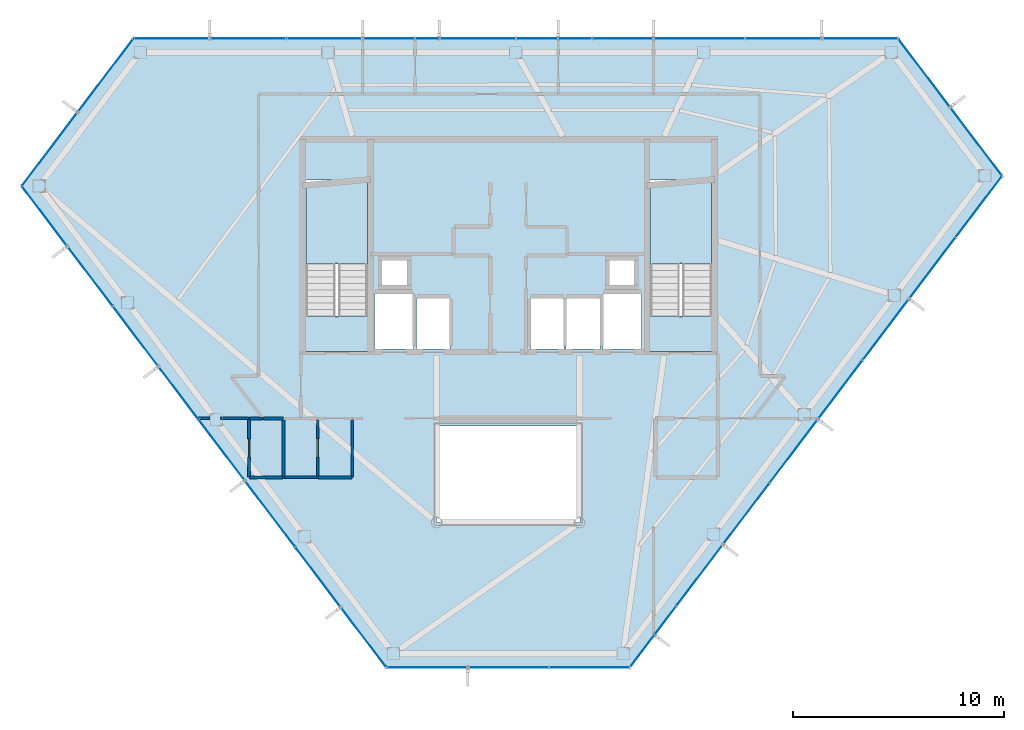
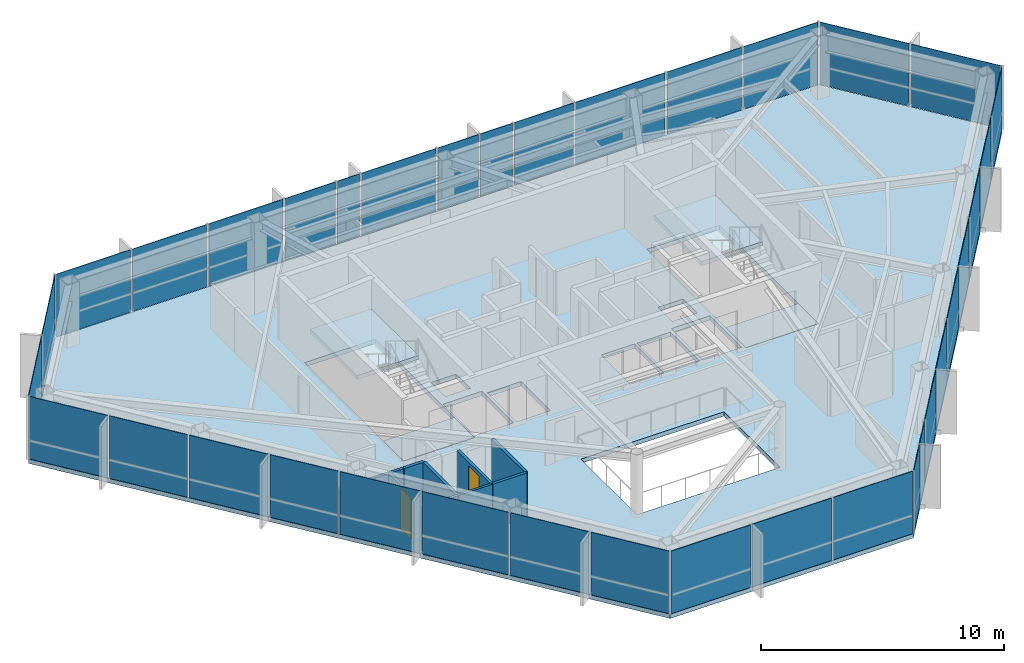
# One storey, part 23 of 27: 36 plates, 11 walls, 5 slabs, 2 doors, 2 openings, 8 elements without a shape of their own.
"""IFC4 building model written with IfcOpenShell, lengths in metres."""

from ifc_helpers import new_model, si_unit, direction, frame, frame_2d, origin, origin_2d, place, context, subcontext, project, spatial, polyline, rectangle, outline, extrude, material, layer, layer_set, type_object, element, fill, aggregate, save


model = new_model("IFC4")

# Units and contexts
model_context = context("Model", 3, precision=1e-05, world=origin(), true_north=direction((0.0, 1.0)))
body_context = subcontext(model_context, "Body", "Model", "MODEL_VIEW")
ifc_project = project(units=[si_unit("LENGTHUNIT", "METRE"), si_unit("AREAUNIT", "SQUARE_METRE"), si_unit("VOLUMEUNIT", "CUBIC_METRE"), si_unit("PLANEANGLEUNIT", "RADIAN"), si_unit("MASSUNIT", "GRAM", prefix="KILO")], contexts=[model_context])

# Site, building, storey
site_placement = place(None, origin())
site = spatial("IfcSite", under=ifc_project, at=site_placement, CompositionType="ELEMENT")
building_placement = place(site_placement, origin())
building = spatial("IfcBuilding", under=site, at=building_placement, Name="Zarrinselat Tower", CompositionType="ELEMENT")
storey_placement = place(building_placement, frame((0.0, 0.0, 229.159912109375)))
storey = spatial("IfcBuildingStorey", under=building, at=storey_placement, Name="L57", CompositionType="ELEMENT", Elevation=229.159912109375)

# Curtain wall, plates
ifc_material_1 = material(Name="Extruded Aluminium Alloy EN AW-6063 T6", Category="aluminium")
ifc_layer_1 = layer(ifc_material_1, 0.169921875)
ifc_layer_set_1 = layer_set([ifc_layer_1], Name="Extruded Aluminium Alloy EN AW-6063 T6")
curtain_wall_type = type_object("IfcCurtainWallType", Name="CWS-RES", PredefinedType="NOTDEFINED", material=ifc_layer_set_1)
curtain_wall_1_placement = place(storey_placement, origin())
curtain_wall_1 = element("IfcCurtainWall", 1, at=curtain_wall_1_placement, inside=storey, type_object=curtain_wall_type, Name="L57 Unitised Curtain Wall CW-L57-E01", PredefinedType="NOTDEFINED")
ifc_material_2 = material(Name="Double Low-E Laminated Solar Glass", Category="glass")
ifc_layer_2 = layer(ifc_material_2, 0.028076171875)
ifc_layer_set_2 = layer_set([ifc_layer_2], Name="Double Low-E Laminated Solar Glass")
plate_type = type_object("IfcPlateType", Name="PLT-CW-GL28", PredefinedType="CURTAIN_PANEL", material=ifc_layer_set_2)
plate_1_placement = place(storey_placement, frame((55.10009765625, 48.177734375, 0.02001953125), z_axis=(0.0, 0.0, 1.0), x_axis=(-1.0, 0.0, 0.0)))
plate_1 = element("IfcPlate", 2, at=plate_1_placement, type_object=plate_type, Name="CW-L57-E01 Vision Glass Panel 1", PredefinedType="CURTAIN_PANEL", context=body_context, shape_type="SweptSolid", body=[
    extrude(rectangle(XDim=3.530517578125, YDim=0.028076171875, at=origin_2d()), origin(), (0.0, 0.0, 1.0), 3.139892578125),
])
plate_2_placement = place(storey_placement, frame((51.469482421875, 48.177734375, 0.02001953125), z_axis=(0.0, 0.0, 1.0), x_axis=(-1.0, 0.0, 0.0)))
plate_2 = element("IfcPlate", 3, at=plate_2_placement, type_object=plate_type, Name="CW-L57-E01 Vision Glass Panel 2", PredefinedType="CURTAIN_PANEL", context=body_context, shape_type="SweptSolid", body=[
    extrude(rectangle(XDim=3.530517578125, YDim=0.028076171875, at=origin_2d()), origin(), (0.0, 0.0, 1.0), 3.139892578125),
])
plate_3_placement = place(storey_placement, frame((47.477294921875, 48.177734375, 0.02001953125), z_axis=(0.0, 0.0, 1.0), x_axis=(-1.0, 0.0, 0.0)))
plate_3 = element("IfcPlate", 4, at=plate_3_placement, type_object=plate_type, Name="CW-L57-E01 Vision Glass Panel 3", PredefinedType="CURTAIN_PANEL", context=body_context, shape_type="SweptSolid", body=[
    extrude(rectangle(XDim=4.25439453125, YDim=0.028076171875, at=origin_2d()), origin(), (0.0, 0.0, 1.0), 3.139892578125),
])
plate_4_placement = place(storey_placement, frame((43.846923828125, 48.177734375, 0.02001953125), z_axis=(0.0, 0.0, 1.0), x_axis=(-1.0, 0.0, 0.0)))
plate_4 = element("IfcPlate", 5, at=plate_4_placement, type_object=plate_type, Name="CW-L57-E01 Vision Glass Panel 4", PredefinedType="CURTAIN_PANEL", context=body_context, shape_type="SweptSolid", body=[
    extrude(rectangle(XDim=2.806396484375, YDim=0.028076171875, at=origin_2d()), origin(), (0.0, 0.0, 1.0), 3.139892578125),
])
plate_5_placement = place(storey_placement, frame((41.583740234375, 48.177734375, 0.02001953125), z_axis=(0.0, 0.0, 1.0), x_axis=(-1.0, 0.0, 0.0)))
plate_5 = element("IfcPlate", 6, at=plate_5_placement, type_object=plate_type, Name="CW-L57-E01 Vision Glass Panel 5", PredefinedType="CURTAIN_PANEL", context=body_context, shape_type="SweptSolid", body=[
    extrude(rectangle(XDim=1.52001953125, YDim=0.028076171875, at=origin_2d()), origin(), (0.0, 0.0, 1.0), 3.139892578125),
])
plate_6_placement = place(storey_placement, frame((39.7685546875, 48.177734375, 0.02001953125), z_axis=(0.0, 0.0, 1.0), x_axis=(-1.0, 0.0, 0.0)))
plate_6 = element("IfcPlate", 7, at=plate_6_placement, type_object=plate_type, Name="CW-L57-E01 Vision Glass Panel 6", PredefinedType="CURTAIN_PANEL", context=body_context, shape_type="SweptSolid", body=[
    extrude(rectangle(XDim=1.910400390625, YDim=0.028076171875, at=origin_2d()), origin(), (0.0, 0.0, 1.0), 3.139892578125),
])
plate_7_placement = place(storey_placement, frame((36.9482421875, 48.177734375, 0.02001953125), z_axis=(0.0, 0.0, 1.0), x_axis=(-1.0, 0.0, 0.0)))
plate_7 = element("IfcPlate", 8, at=plate_7_placement, type_object=plate_type, Name="CW-L57-E01 Vision Glass Panel 7", PredefinedType="CURTAIN_PANEL", context=body_context, shape_type="SweptSolid", body=[
    extrude(rectangle(XDim=3.530517578125, YDim=0.028076171875, at=origin_2d()), origin(), (0.0, 0.0, 1.0), 3.139892578125),
])
plate_8_placement = place(storey_placement, frame((34.55859375, 48.177734375, 0.02001953125), z_axis=(0.0, 0.0, 1.0), x_axis=(-1.0, 0.0, 0.0)))
plate_8 = element("IfcPlate", 9, at=plate_8_placement, type_object=plate_type, Name="CW-L57-E01 Vision Glass Panel 8", PredefinedType="CURTAIN_PANEL", context=body_context, shape_type="SweptSolid", body=[
    extrude(rectangle(XDim=1.049072265625, YDim=0.028076171875, at=origin_2d()), origin(), (0.0, 0.0, 1.0), 3.139892578125),
])
plate_9_placement = place(storey_placement, frame((32.741943359375, 48.177734375, 0.02001953125), z_axis=(0.0, 0.0, 1.0), x_axis=(-1.0, 0.0, 0.0)))
plate_9 = element("IfcPlate", 10, at=plate_9_placement, type_object=plate_type, Name="CW-L57-E01 Vision Glass Panel 9", PredefinedType="CURTAIN_PANEL", context=body_context, shape_type="SweptSolid", body=[
    extrude(rectangle(XDim=2.384033203125, YDim=0.028076171875, at=origin_2d()), origin(), (0.0, 0.0, 1.0), 3.139892578125),
])
plate_10_placement = place(storey_placement, frame((29.68603515625, 48.177734375, 0.02001953125), z_axis=(0.0, 0.0, 1.0), x_axis=(-1.0, 0.0, 0.0)))
plate_10 = element("IfcPlate", 11, at=plate_10_placement, type_object=plate_type, Name="CW-L57-E01 Vision Glass Panel 10", PredefinedType="CURTAIN_PANEL", context=body_context, shape_type="SweptSolid", body=[
    extrude(rectangle(XDim=3.52783203125, YDim=0.028076171875, at=origin_2d()), origin(), (0.0, 0.0, 1.0), 3.139892578125),
])
plate_11_placement = place(storey_placement, frame((26.05712890625, 48.177734375, 0.02001953125), z_axis=(0.0, 0.0, 1.0), x_axis=(-1.0, 0.0, 0.0)))
plate_11 = element("IfcPlate", 12, at=plate_11_placement, type_object=plate_type, Name="CW-L57-E01 Vision Glass Panel 11", PredefinedType="CURTAIN_PANEL", context=body_context, shape_type="SweptSolid", body=[
    extrude(rectangle(XDim=3.530517578125, YDim=0.028076171875, at=origin_2d()), origin(), (0.0, 0.0, 1.0), 3.139892578125),
])
plate_12_placement = place(storey_placement, frame((22.4267578125, 48.177734375, 0.02001953125), z_axis=(0.0, 0.0, 1.0), x_axis=(-1.0, 0.0, 0.0)))
plate_12 = element("IfcPlate", 13, at=plate_12_placement, type_object=plate_type, Name="CW-L57-E01 Vision Glass Panel 12", PredefinedType="CURTAIN_PANEL", context=body_context, shape_type="SweptSolid", body=[
    extrude(rectangle(XDim=3.530517578125, YDim=0.028076171875, at=origin_2d()), origin(), (0.0, 0.0, 1.0), 3.139892578125),
])
aggregate(curtain_wall_1, [plate_1, plate_2, plate_3, plate_4, plate_5, plate_6, plate_7, plate_8, plate_9, plate_10, plate_11, plate_12])

curtain_wall_2_placement = place(storey_placement, origin())
curtain_wall_2 = element("IfcCurtainWall", 14, at=curtain_wall_2_placement, inside=storey, type_object=curtain_wall_type, Name="L57 Unitised Curtain Wall CW-L57-E02", PredefinedType="NOTDEFINED")
plate_13_placement = place(storey_placement, frame((19.286376953125, 46.4287109375, 0.02001953125), z_axis=(0.0, 0.0, 1.0), x_axis=(-0.603855713814, -0.797093643742, 0.0)))
plate_13 = element("IfcPlate", 15, at=plate_13_placement, type_object=plate_type, Name="CW-L57-E02 Vision Glass Panel 1", PredefinedType="CURTAIN_PANEL", context=body_context, shape_type="SweptSolid", body=[
    extrude(rectangle(XDim=4.28857421875, YDim=0.028076171875, at=origin_2d()), origin(), (0.0, 0.0, 1.0), 3.139892578125),
])
plate_14_placement = place(storey_placement, frame((16.636474609375, 42.9306640625, 0.02001953125), z_axis=(0.0, 0.0, 1.0), x_axis=(-0.603855713814, -0.797093643742, 0.0)))
plate_14 = element("IfcPlate", 16, at=plate_14_placement, type_object=plate_type, Name="CW-L57-E02 Vision Glass Panel 2", PredefinedType="CURTAIN_PANEL", context=body_context, shape_type="SweptSolid", body=[
    extrude(rectangle(XDim=4.28857421875, YDim=0.028076171875, at=origin_2d()), origin(), (0.0, 0.0, 1.0), 3.139892578125),
])
aggregate(curtain_wall_2, [plate_13, plate_14])

curtain_wall_3_placement = place(storey_placement, origin())
curtain_wall_3 = element("IfcCurtainWall", 17, at=curtain_wall_3_placement, inside=storey, type_object=curtain_wall_type, Name="L57 Unitised Curtain Wall CW-L57-E03", PredefinedType="NOTDEFINED")
plate_15_placement = place(storey_placement, frame((16.39306640625, 39.75341796875, 0.02001953125), z_axis=(0.0, 0.0, 1.0), x_axis=(0.603857419315, -0.7970923517, 0.0)))
plate_15 = element("IfcPlate", 18, at=plate_15_placement, type_object=plate_type, Name="CW-L57-E03 Vision Glass Panel 1", PredefinedType="CURTAIN_PANEL", context=body_context, shape_type="SweptSolid", body=[
    extrude(rectangle(XDim=3.48291015625, YDim=0.028076171875, at=origin_2d()), origin(), (0.0, 0.0, 1.0), 3.139892578125),
])
plate_16_placement = place(storey_placement, frame((18.556640625, 36.897705078125, 0.02001953125), z_axis=(0.0, 0.0, 1.0), x_axis=(0.603857419315, -0.7970923517, 0.0)))
plate_16 = element("IfcPlate", 19, at=plate_16_placement, type_object=plate_type, Name="CW-L57-E03 Vision Glass Panel 2", PredefinedType="CURTAIN_PANEL", context=body_context, shape_type="SweptSolid", body=[
    extrude(rectangle(XDim=3.48291015625, YDim=0.028076171875, at=origin_2d()), origin(), (0.0, 0.0, 1.0), 3.139892578125),
])
plate_17_placement = place(storey_placement, frame((20.72021484375, 34.041748046875, 0.02001953125), z_axis=(0.0, 0.0, 1.0), x_axis=(0.603857419315, -0.7970923517, 0.0)))
plate_17 = element("IfcPlate", 20, at=plate_17_placement, type_object=plate_type, Name="CW-L57-E03 Vision Glass Panel 3", PredefinedType="CURTAIN_PANEL", context=body_context, shape_type="SweptSolid", body=[
    extrude(rectangle(XDim=3.48291015625, YDim=0.028076171875, at=origin_2d()), origin(), (0.0, 0.0, 1.0), 3.139892578125),
])
plate_18_placement = place(storey_placement, frame((22.7490234375, 31.36376953125, 0.02001953125), z_axis=(0.0, 0.0, 1.0), x_axis=(0.603857419315, -0.7970923517, 0.0)))
plate_18 = element("IfcPlate", 21, at=plate_18_placement, type_object=plate_type, Name="CW-L57-E03 Vision Glass Panel 4", PredefinedType="CURTAIN_PANEL", context=body_context, shape_type="SweptSolid", body=[
    extrude(rectangle(XDim=3.036376953125, YDim=0.028076171875, at=origin_2d()), origin(), (0.0, 0.0, 1.0), 3.139892578125),
])
plate_19_placement = place(storey_placement, frame((24.79931640625, 28.6572265625, 0.02001953125), z_axis=(0.0, 0.0, 1.0), x_axis=(0.603857419315, -0.7970923517, 0.0)))
plate_19 = element("IfcPlate", 22, at=plate_19_placement, type_object=plate_type, Name="CW-L57-E03 Vision Glass Panel 5", PredefinedType="CURTAIN_PANEL", context=body_context, shape_type="SweptSolid", body=[
    extrude(rectangle(XDim=3.5546875, YDim=0.028076171875, at=origin_2d()), origin(), (0.0, 0.0, 1.0), 3.139892578125),
])
plate_20_placement = place(storey_placement, frame((27.097900390625, 25.623291015625, 0.02001953125), z_axis=(0.0, 0.0, 1.0), x_axis=(0.603857419315, -0.7970923517, 0.0)))
plate_20 = element("IfcPlate", 23, at=plate_20_placement, type_object=plate_type, Name="CW-L57-E03 Vision Glass Panel 6", PredefinedType="CURTAIN_PANEL", context=body_context, shape_type="SweptSolid", body=[
    extrude(rectangle(XDim=3.85791015625, YDim=0.028076171875, at=origin_2d()), origin(), (0.0, 0.0, 1.0), 3.139892578125),
])
plate_21_placement = place(storey_placement, frame((29.37451171875, 22.617919921875, 0.02001953125), z_axis=(0.0, 0.0, 1.0), x_axis=(0.603857419315, -0.7970923517, 0.0)))
plate_21 = element("IfcPlate", 24, at=plate_21_placement, type_object=plate_type, Name="CW-L57-E03 Vision Glass Panel 7", PredefinedType="CURTAIN_PANEL", context=body_context, shape_type="SweptSolid", body=[
    extrude(rectangle(XDim=3.48291015625, YDim=0.028076171875, at=origin_2d()), origin(), (0.0, 0.0, 1.0), 3.139892578125),
])
plate_22_placement = place(storey_placement, frame((31.5380859375, 19.761962890625, 0.02001953125), z_axis=(0.0, 0.0, 1.0), x_axis=(0.603857419315, -0.7970923517, 0.0)))
plate_22 = element("IfcPlate", 25, at=plate_22_placement, type_object=plate_type, Name="CW-L57-E03 Vision Glass Panel 8", PredefinedType="CURTAIN_PANEL", context=body_context, shape_type="SweptSolid", body=[
    extrude(rectangle(XDim=3.48291015625, YDim=0.028076171875, at=origin_2d()), origin(), (0.0, 0.0, 1.0), 3.139892578125),
])
aggregate(curtain_wall_3, [plate_15, plate_16, plate_17, plate_18, plate_19, plate_20, plate_21, plate_22])

curtain_wall_4_placement = place(storey_placement, origin())
curtain_wall_4 = element("IfcCurtainWall", 26, at=curtain_wall_4_placement, inside=storey, type_object=curtain_wall_type, Name="L57 Unitised Curtain Wall CW-L57-E04", PredefinedType="NOTDEFINED")
plate_23_placement = place(storey_placement, frame((34.546630859375, 18.333984375, 0.02001953125), z_axis=(0.0, 0.0, 1.0), x_axis=(1.0, 0.0, 0.0)))
plate_23 = element("IfcPlate", 27, at=plate_23_placement, type_object=plate_type, Name="CW-L57-E04 Vision Glass Panel 1", PredefinedType="CURTAIN_PANEL", context=body_context, shape_type="SweptSolid", body=[
    extrude(rectangle(XDim=3.75341796875, YDim=0.028076171875, at=origin_2d()), origin(), (0.0, 0.0, 1.0), 3.139892578125),
])
plate_24_placement = place(storey_placement, frame((38.39990234375, 18.333984375, 0.02001953125), z_axis=(0.0, 0.0, 1.0), x_axis=(1.0, 0.0, 0.0)))
plate_24 = element("IfcPlate", 28, at=plate_24_placement, type_object=plate_type, Name="CW-L57-E04 Vision Glass Panel 2", PredefinedType="CURTAIN_PANEL", context=body_context, shape_type="SweptSolid", body=[
    extrude(rectangle(XDim=3.75341796875, YDim=0.028076171875, at=origin_2d()), origin(), (0.0, 0.0, 1.0), 3.139892578125),
])
plate_25_placement = place(storey_placement, frame((42.25341796875, 18.333984375, 0.02001953125), z_axis=(0.0, 0.0, 1.0), x_axis=(1.0, 0.0, 0.0)))
plate_25 = element("IfcPlate", 29, at=plate_25_placement, type_object=plate_type, Name="CW-L57-E04 Vision Glass Panel 3", PredefinedType="CURTAIN_PANEL", context=body_context, shape_type="SweptSolid", body=[
    extrude(rectangle(XDim=3.75341796875, YDim=0.028076171875, at=origin_2d()), origin(), (0.0, 0.0, 1.0), 3.139892578125),
])
aggregate(curtain_wall_4, [plate_23, plate_24, plate_25])

curtain_wall_5_placement = place(storey_placement, origin())
curtain_wall_5 = element("IfcCurtainWall", 30, at=curtain_wall_5_placement, inside=storey, type_object=curtain_wall_type, Name="L57 Unitised Curtain Wall CW-L57-E05", PredefinedType="NOTDEFINED")
plate_26_placement = place(storey_placement, frame((44.763916015625, 19.104736328125, 0.02001953125), z_axis=(0.0, 0.0, 1.0), x_axis=(0.603858872188, 0.797091251037, 0.0)))
plate_26 = element("IfcPlate", 31, at=plate_26_placement, type_object=plate_type, Name="CW-L57-E05 Vision Glass Panel 1", PredefinedType="CURTAIN_PANEL", context=body_context, shape_type="SweptSolid", body=[
    extrude(rectangle(XDim=1.833984375, YDim=0.028076171875, at=origin_2d()), origin(), (0.0, 0.0, 1.0), 3.139892578125),
])
plate_27_placement = place(storey_placement, frame((45.868408203125, 20.562744140625, 0.02001953125), z_axis=(0.0, 0.0, 1.0), x_axis=(0.603858872188, 0.797091251037, 0.0)))
plate_27 = element("IfcPlate", 32, at=plate_27_placement, type_object=plate_type, Name="CW-L57-E05 Vision Glass Panel 2", PredefinedType="CURTAIN_PANEL", context=body_context, shape_type="SweptSolid", body=[
    extrude(rectangle(XDim=1.624267578125, YDim=0.028076171875, at=origin_2d()), origin(), (0.0, 0.0, 1.0), 3.139892578125),
])
plate_28_placement = place(storey_placement, frame((47.493408203125, 22.707763671875, 0.02001953125), z_axis=(0.0, 0.0, 1.0), x_axis=(0.603858872188, 0.797091251037, 0.0)))
plate_28 = element("IfcPlate", 33, at=plate_28_placement, type_object=plate_type, Name="CW-L57-E05 Vision Glass Panel 3", PredefinedType="CURTAIN_PANEL", context=body_context, shape_type="SweptSolid", body=[
    extrude(rectangle(XDim=3.55810546875, YDim=0.028076171875, at=origin_2d()), origin(), (0.0, 0.0, 1.0), 3.139892578125),
])
plate_29_placement = place(storey_placement, frame((49.702392578125, 25.623779296875, 0.02001953125), z_axis=(0.0, 0.0, 1.0), x_axis=(0.603858872188, 0.797091251037, 0.0)))
plate_29 = element("IfcPlate", 34, at=plate_29_placement, type_object=plate_type, Name="CW-L57-E05 Vision Glass Panel 4", PredefinedType="CURTAIN_PANEL", context=body_context, shape_type="SweptSolid", body=[
    extrude(rectangle(XDim=3.55810546875, YDim=0.028076171875, at=origin_2d()), origin(), (0.0, 0.0, 1.0), 3.139892578125),
])
plate_30_placement = place(storey_placement, frame((51.95556640625, 28.59765625, 0.02001953125), z_axis=(0.0, 0.0, 1.0), x_axis=(0.603858872188, 0.797091251037, 0.0)))
plate_30 = element("IfcPlate", 35, at=plate_30_placement, type_object=plate_type, Name="CW-L57-E05 Vision Glass Panel 5", PredefinedType="CURTAIN_PANEL", context=body_context, shape_type="SweptSolid", body=[
    extrude(rectangle(XDim=3.7041015625, YDim=0.028076171875, at=origin_2d()), origin(), (0.0, 0.0, 1.0), 3.139892578125),
])
plate_31_placement = place(storey_placement, frame((54.16455078125, 31.513671875, 0.02001953125), z_axis=(0.0, 0.0, 1.0), x_axis=(0.603858872188, 0.797091251037, 0.0)))
plate_31 = element("IfcPlate", 36, at=plate_31_placement, type_object=plate_type, Name="CW-L57-E05 Vision Glass Panel 6", PredefinedType="CURTAIN_PANEL", context=body_context, shape_type="SweptSolid", body=[
    extrude(rectangle(XDim=3.412353515625, YDim=0.028076171875, at=origin_2d()), origin(), (0.0, 0.0, 1.0), 3.139892578125),
])
plate_32_placement = place(storey_placement, frame((56.32958984375, 34.371337890625, 0.02001953125), z_axis=(0.0, 0.0, 1.0), x_axis=(0.603858872188, 0.797091251037, 0.0)))
plate_32 = element("IfcPlate", 37, at=plate_32_placement, type_object=plate_type, Name="CW-L57-E05 Vision Glass Panel 7", PredefinedType="CURTAIN_PANEL", context=body_context, shape_type="SweptSolid", body=[
    extrude(rectangle(XDim=3.55810546875, YDim=0.028076171875, at=origin_2d()), origin(), (0.0, 0.0, 1.0), 3.139892578125),
])
plate_33_placement = place(storey_placement, frame((58.53857421875, 37.287353515625, 0.02001953125), z_axis=(0.0, 0.0, 1.0), x_axis=(0.603858872188, 0.797091251037, 0.0)))
plate_33 = element("IfcPlate", 38, at=plate_33_placement, type_object=plate_type, Name="CW-L57-E05 Vision Glass Panel 8", PredefinedType="CURTAIN_PANEL", context=body_context, shape_type="SweptSolid", body=[
    extrude(rectangle(XDim=3.55810546875, YDim=0.028076171875, at=origin_2d()), origin(), (0.0, 0.0, 1.0), 3.139892578125),
])
plate_34_placement = place(storey_placement, frame((60.74755859375, 40.203125, 0.02001953125), z_axis=(0.0, 0.0, 1.0), x_axis=(0.603858872188, 0.797091251037, 0.0)))
plate_34 = element("IfcPlate", 39, at=plate_34_placement, type_object=plate_type, Name="CW-L57-E05 Vision Glass Panel 9", PredefinedType="CURTAIN_PANEL", context=body_context, shape_type="SweptSolid", body=[
    extrude(rectangle(XDim=3.55810546875, YDim=0.028076171875, at=origin_2d()), origin(), (0.0, 0.0, 1.0), 3.139892578125),
])
aggregate(curtain_wall_5, [plate_26, plate_27, plate_28, plate_29, plate_30, plate_31, plate_32, plate_33, plate_34])

curtain_wall_6_placement = place(storey_placement, origin())
curtain_wall_6 = element("IfcCurtainWall", 40, at=curtain_wall_6_placement, inside=storey, type_object=curtain_wall_type, Name="L57 Unitised Curtain Wall CW-L57-E06", PredefinedType="NOTDEFINED")
plate_35_placement = place(storey_placement, frame((60.617919921875, 43.290283203125, 0.02001953125), z_axis=(0.0, 0.0, 1.0), x_axis=(-0.603858158982, 0.797091791346, 0.0)))
plate_35 = element("IfcPlate", 41, at=plate_35_placement, type_object=plate_type, Name="CW-L57-E06 Vision Glass Panel 1", PredefinedType="CURTAIN_PANEL", context=body_context, shape_type="SweptSolid", body=[
    extrude(rectangle(XDim=3.98779296875, YDim=0.028076171875, at=origin_2d()), origin(), (0.0, 0.0, 1.0), 3.139892578125),
])
plate_36_placement = place(storey_placement, frame((58.1494140625, 46.548583984375, 0.02001953125), z_axis=(0.0, 0.0, 1.0), x_axis=(-0.603858158982, 0.797091791346, 0.0)))
plate_36 = element("IfcPlate", 42, at=plate_36_placement, type_object=plate_type, Name="CW-L57-E06 Vision Glass Panel 2", PredefinedType="CURTAIN_PANEL", context=body_context, shape_type="SweptSolid", body=[
    extrude(rectangle(XDim=3.98779296875, YDim=0.028076171875, at=origin_2d()), origin(), (0.0, 0.0, 1.0), 3.139892578125),
])
aggregate(curtain_wall_6, [plate_35, plate_36])

# Slabs
ifc_material_3 = material(Name="Concrete C40/50", Category="concrete")
ifc_layer_3 = layer(ifc_material_3, 0.219970703125)
ifc_layer_set_3 = layer_set([ifc_layer_3], Name="Concrete C40/50")
slab_type_1 = type_object("IfcSlabType", Name="SLB-FLOOR-220-SL-RS220", PredefinedType="FLOOR", material=ifc_layer_set_3)
slab_1_placement = place(storey_placement, frame((0.0, 0.0, -0.219970703125)))
element("IfcSlab", 43, at=slab_1_placement, inside=storey, type_object=slab_type_1, Name="L57 Primary Structural Slab", PredefinedType="FLOOR", context=body_context, shape_type="SweptSolid", body=[
    extrude(outline(polyline([(56.915283203125, 48.177734375), (20.611572265625, 48.177734375), (15.311279296875, 41.181396484375), (32.6201171875, 18.333984375), (44.179931640625, 18.333984375), (61.85205078125, 41.6611328125), (56.915283203125, 48.177734375)]), holes=[polyline([(41.800048828125, 25.199951171875), (35.0, 25.199951171875), (35.0, 29.800048828125), (41.800048828125, 29.800048828125), (41.800048828125, 25.199951171875)]), polyline([(35.64990234375, 33.449951171875), (34.050048828125, 33.449951171875), (34.050048828125, 35.85009765625), (35.64990234375, 35.85009765625), (35.64990234375, 33.449951171875)]), polyline([(41.050048828125, 33.449951171875), (39.449951171875, 33.449951171875), (39.449951171875, 35.85009765625), (41.050048828125, 35.85009765625), (41.050048828125, 33.449951171875)]), polyline([(41.14990234375, 33.449951171875), (41.14990234375, 35.85009765625), (42.75, 35.85009765625), (42.75, 33.449951171875), (41.14990234375, 33.449951171875)]), polyline([(32.06005859375, 33.449951171875), (32.06005859375, 36.050048828125), (33.89990234375, 36.050048828125), (33.89990234375, 33.449951171875), (32.06005859375, 33.449951171875)]), polyline([(44.739990234375, 33.449951171875), (42.89990234375, 33.449951171875), (42.89990234375, 36.050048828125), (44.739990234375, 36.050048828125), (44.739990234375, 33.449951171875)]), polyline([(33.60009765625, 36.47998046875), (32.419921875, 36.47998046875), (32.419921875, 37.639892578125), (33.60009765625, 37.639892578125), (33.60009765625, 36.47998046875)]), polyline([(44.3798828125, 36.47998046875), (43.199951171875, 36.47998046875), (43.199951171875, 37.639892578125), (44.3798828125, 37.639892578125), (44.3798828125, 36.47998046875)]), polyline([(31.985107421875, 33.324951171875), (28.60498046875, 33.324951171875), (28.60498046875, 41.47509765625), (31.985107421875, 41.47509765625), (31.985107421875, 33.324951171875)]), polyline([(48.324951171875, 33.324951171875), (44.875, 33.324951171875), (44.875, 41.47509765625), (48.324951171875, 41.47509765625), (48.324951171875, 33.324951171875)])]), origin(), (0.0, 0.0, 1.0), 0.219970703125),
])
slab_2_placement = place(storey_placement, frame((0.0, 0.0, -0.219970703125)))
element("IfcSlab", 44, at=slab_2_placement, inside=storey, type_object=slab_type_1, Name="L57 Stair ST-1-FL1 Structural Floor Landing", PredefinedType="FLOOR", context=body_context, shape_type="SweptSolid", body=[
    extrude(outline(polyline([(31.97998046875, 33.330078125), (31.97998046875, 35.0), (28.610107421875, 35.0), (28.610107421875, 33.330078125), (31.97998046875, 33.330078125)])), origin(), (0.0, 0.0, 1.0), 0.219970703125),
])
slab_3_placement = place(storey_placement, frame((0.0, 0.0, -0.219970703125)))
element("IfcSlab", 45, at=slab_3_placement, inside=storey, type_object=slab_type_1, Name="L57 Stair ST-2-FL1 Structural Floor Landing", PredefinedType="FLOOR", context=body_context, shape_type="SweptSolid", body=[
    extrude(outline(polyline([(48.320068359375, 33.330078125), (48.320068359375, 35.0), (44.8798828125, 35.0), (44.8798828125, 33.330078125), (48.320068359375, 33.330078125)])), origin(), (0.0, 0.0, 1.0), 0.219970703125),
])

# Stair, slab
ifc_material_4 = material(Name="Concrete C40/50", Category="concrete")
stair_type = type_object("IfcStairType", Name="STR-CORE-155", PredefinedType="HALF_TURN_STAIR", material=ifc_material_4)
stair_1_placement = place(storey_placement, origin())
stair_1 = element("IfcStair", 46, at=stair_1_placement, inside=storey, type_object=stair_type, Name="L57 Core Exit Stair 1", PredefinedType="HALF_TURN_STAIR")
ifc_material_5 = material(Name="Concrete C40/50", Category="concrete")
ifc_layer_4 = layer(ifc_material_5, 0.18994140625)
ifc_layer_set_4 = layer_set([ifc_layer_4], Name="Concrete C40/50")
slab_type_2 = type_object("IfcSlabType", Name="SLB-LND-190", PredefinedType="LANDING", material=ifc_layer_set_4)
slab_4_placement = place(storey_placement, frame((0.0, 0.0, 1.5)))
slab_4 = element("IfcSlab", 47, at=slab_4_placement, type_object=slab_type_2, Name="ST-1 landing 1", PredefinedType="LANDING", context=body_context, shape_type="SweptSolid", body=[
    extrude(outline(polyline([(31.719970703125, 37.47998046875), (31.719970703125, 41.35009765625), (28.800048828125, 41.35009765625), (28.800048828125, 37.47998046875), (31.719970703125, 37.47998046875)])), origin(), (0.0, 0.0, 1.0), 0.2001953125),
])
aggregate(stair_1, [slab_4])

stair_2_placement = place(storey_placement, origin())
stair_2 = element("IfcStair", 48, at=stair_2_placement, inside=storey, type_object=stair_type, Name="L57 Core Exit Stair 2", PredefinedType="HALF_TURN_STAIR")
slab_5_placement = place(storey_placement, frame((0.0, 0.0, 1.5)))
slab_5 = element("IfcSlab", 49, at=slab_5_placement, type_object=slab_type_2, Name="ST-2 landing 1", PredefinedType="LANDING", context=body_context, shape_type="SweptSolid", body=[
    extrude(outline(polyline([(48.06005859375, 37.47998046875), (48.06005859375, 41.35009765625), (45.139892578125, 41.35009765625), (45.139892578125, 37.47998046875), (48.06005859375, 37.47998046875)])), origin(), (0.0, 0.0, 1.0), 0.2001953125),
])
aggregate(stair_2, [slab_5])

# Walls
ifc_material_6 = material(Name="Fire-Rated Gypsum Board Partition", Category="gypsum")
ifc_layer_5 = layer(ifc_material_6, 0.14990234375)
ifc_layer_set_5 = layer_set([ifc_layer_5], Name="Fire-Rated Gypsum Board Partition")
wall_type_1 = type_object("IfcWallType", Name="WAL-PART-EI60", PredefinedType="PARTITIONING", material=ifc_layer_set_5)
wall_1_placement = place(storey_placement, frame((26.774658203125, 30.14990234375, 0.0), z_axis=(0.0, 0.0, 1.0), x_axis=(1.0, 0.0, 0.0)))
element("IfcWall", 50, at=wall_1_placement, inside=storey, type_object=wall_type_1, Name="L57 Partition Wall 23", PredefinedType="PARTITIONING", context=body_context, shape_type="SweptSolid", body=[
    extrude(rectangle(XDim=0.950439453125, YDim=0.14990234375, at=frame_2d((0.47509765625, 0.0))), origin(), (0.0, 0.0, 1.0), 2.235107421875),
])
ifc_material_7 = material(Name="Fire-Rated Gypsum Board Partition", Category="gypsum")
ifc_layer_6 = layer(ifc_material_7, 0.1201171875)
ifc_layer_set_6 = layer_set([ifc_layer_6], Name="Fire-Rated Gypsum Board Partition")
wall_type_2 = type_object("IfcWallType", Name="WAL-PART-STD", PredefinedType="PARTITIONING", material=ifc_layer_set_6)
wall_2_placement = place(storey_placement, frame((27.75, 27.35009765625, 0.0), z_axis=(0.0, 0.0, 1.0), x_axis=(1.0, 0.0, 0.0)))
element("IfcWall", 51, at=wall_2_placement, inside=storey, type_object=wall_type_2, Name="L57 Partition Wall 48", PredefinedType="PARTITIONING", context=body_context, shape_type="SweptSolid", body=[
    extrude(rectangle(XDim=1.590087890625, YDim=0.1201171875, at=frame_2d((0.794921875, 0.0))), origin(), (0.0, 0.0, 1.0), 2.235107421875),
])
wall_3_placement = place(storey_placement, frame((23.68359375, 30.14990234375, 0.0), z_axis=(0.0, 0.0, 1.0), x_axis=(1.0, 0.0, 0.0)))
element("IfcWall", 52, at=wall_3_placement, inside=storey, type_object=wall_type_2, Name="L57 Partition Wall 50", PredefinedType="PARTITIONING", context=body_context, shape_type="SweptSolid", body=[
    extrude(rectangle(XDim=0.56201171875, YDim=0.1201171875, at=frame_2d((0.281005859375, 0.0))), origin(), (0.0, 0.0, 1.0), 2.235107421875),
])
wall_4_placement = place(storey_placement, frame((24.75439453125, 30.14990234375, 0.0), z_axis=(0.0, 0.0, 1.0), x_axis=(1.0, 0.0, 0.0)))
element("IfcWall", 53, at=wall_4_placement, inside=storey, type_object=wall_type_2, Name="L57 Partition Wall 51", PredefinedType="PARTITIONING", context=body_context, shape_type="SweptSolid", body=[
    extrude(rectangle(XDim=1.32568359375, YDim=0.1201171875, at=frame_2d((0.662841796875, 0.0))), origin(), (0.0, 0.0, 1.0), 2.235107421875),
])

# Wall, opening, door
ifc_material_8 = material(Name="Fire-Rated Gypsum Board Partition", Category="gypsum")
ifc_layer_7 = layer(ifc_material_8, 0.135009765625)
ifc_layer_set_7 = layer_set([ifc_layer_7], Name="Fire-Rated Gypsum Board Partition")
wall_type_3 = type_object("IfcWallType", Name="WAL-PART-WET", PredefinedType="PARTITIONING", material=ifc_layer_set_7)
wall_5_placement = place(storey_placement, frame((29.360107421875, 27.3701171875, 0.0), z_axis=(0.0, 0.0, 1.0), x_axis=(0.0, 1.0, 0.0)))
wall_5 = element("IfcWall", 54, at=wall_5_placement, inside=storey, type_object=wall_type_3, Name="L57 Partition Wall 41", PredefinedType="PARTITIONING", context=body_context, shape_type="SweptSolid", body=[
    extrude(rectangle(XDim=2.759765625, YDim=0.135009765625, at=frame_2d((1.3798828125, 0.0))), origin(), (0.0, 0.0, 1.0), 2.235107421875),
])
opening_1_placement = place(wall_5_placement, frame((0.949951171875, 0.0, 0.0)))
opening_1 = element("IfcOpeningElement", 55, at=opening_1_placement, cuts=wall_5, Name="Opening ID-06", PredefinedType="OPENING", context=body_context, shape_type="SweptSolid", body=[
    extrude(rectangle(XDim=0.860107421875, YDim=2.050048828125, at=frame_2d((0.43017578125, 1.02490234375))), frame((0.0, 0.077392578125, 0.0), z_axis=(0.0, -1.0, 0.0), x_axis=(1.0, 0.0, 0.0)), (0.0, 0.0, 1.0), 0.155029296875),
])
ifc_material_9 = material(Name="Extruded Aluminium Alloy EN AW-6063 T6", Category="aluminium")
door_type = type_object("IfcDoorType", Name="DR-INT-WET-900", OperationType="NOTDEFINED", PredefinedType="DOOR", material=ifc_material_9)
door_1_placement = place(opening_1_placement, origin())
door_1 = element("IfcDoor", 56, at=door_1_placement, inside=storey, type_object=door_type, Name="L57 Interior Door P41", OperationType="SINGLE_SWING_RIGHT", OverallHeight=2.050048828125, OverallWidth=0.860107421875, PredefinedType="DOOR", context=body_context, shape_type="SweptSolid", body=[
    extrude(rectangle(XDim=0.860107421875, YDim=2.050048828125, at=frame_2d((0.43017578125, 1.02490234375))), frame((0.0, 0.02490234375, 0.0), z_axis=(0.0, -1.0, 0.0), x_axis=(1.0, 0.0, 0.0)), (0.0, 0.0, 1.0), 0.050048828125),
])
fill(opening_1, door_1)

# Walls
wall_6_placement = place(storey_placement, frame((29.3798828125, 27.35009765625, 0.0), z_axis=(0.0, 0.0, 1.0), x_axis=(1.0, 0.0, 0.0)))
element("IfcWall", 57, at=wall_6_placement, inside=storey, type_object=wall_type_3, Name="L57 Partition Wall 42", PredefinedType="PARTITIONING", context=body_context, shape_type="SweptSolid", body=[
    extrude(rectangle(XDim=1.60009765625, YDim=0.135009765625, at=frame_2d((0.800048828125, 0.0))), origin(), (0.0, 0.0, 1.0), 2.235107421875),
])
for number, where, z_axis, x_axis, name in (
    (58, (31.0, 27.3701171875, 0.0), (0.0, 0.0, 1.0), (0.0, 1.0, 0.0), "L57 Partition Wall 43"),
    (59, (27.72998046875, 27.3701171875, 0.0), (0.0, 0.0, 1.0), (0.0, 1.0, 0.0), "L57 Partition Wall 44"),
):
    element("IfcWall", number, at=place(storey_placement, frame(where, z_axis=z_axis, x_axis=x_axis)), inside=storey, type_object=wall_type_3, Name=name, PredefinedType="PARTITIONING", context=body_context, shape_type="SweptSolid", body=[
        extrude(rectangle(XDim=2.759765625, YDim=0.135009765625, at=frame_2d((1.3798828125, 0.0))), origin(), (0.0, 0.0, 1.0), 2.235107421875),
    ])
wall_7_placement = place(storey_placement, frame((26.1201171875, 27.35009765625, 0.0), z_axis=(0.0, 0.0, 1.0), x_axis=(1.0, 0.0, 0.0)))
element("IfcWall", 60, at=wall_7_placement, inside=storey, type_object=wall_type_3, Name="L57 Partition Wall 45", PredefinedType="PARTITIONING", context=body_context, shape_type="SweptSolid", body=[
    extrude(rectangle(XDim=1.58984375, YDim=0.135009765625, at=frame_2d((0.794921875, 0.0))), origin(), (0.0, 0.0, 1.0), 2.235107421875),
])

# Wall, opening, door
wall_8_placement = place(storey_placement, frame((26.10009765625, 27.3701171875, 0.0), z_axis=(0.0, 0.0, 1.0), x_axis=(0.0, 1.0, 0.0)))
wall_8 = element("IfcWall", 61, at=wall_8_placement, inside=storey, type_object=wall_type_3, Name="L57 Partition Wall 46", PredefinedType="PARTITIONING", context=body_context, shape_type="SweptSolid", body=[
    extrude(rectangle(XDim=2.759765625, YDim=0.135009765625, at=frame_2d((1.3798828125, 0.0))), origin(), (0.0, 0.0, 1.0), 2.235107421875),
])
opening_2_placement = place(wall_8_placement, frame((0.949951171875, 0.0, 0.0)))
opening_2 = element("IfcOpeningElement", 62, at=opening_2_placement, cuts=wall_8, Name="Opening ID-06", PredefinedType="OPENING", context=body_context, shape_type="SweptSolid", body=[
    extrude(rectangle(XDim=0.860107421875, YDim=2.050048828125, at=frame_2d((0.43017578125, 1.02490234375))), frame((0.0, 0.077392578125, 0.0), z_axis=(0.0, -1.0, 0.0), x_axis=(1.0, 0.0, 0.0)), (0.0, 0.0, 1.0), 0.155029296875),
])
door_2_placement = place(opening_2_placement, origin())
door_2 = element("IfcDoor", 63, at=door_2_placement, inside=storey, type_object=door_type, Name="L57 Interior Door P46", OperationType="SINGLE_SWING_LEFT", OverallHeight=2.050048828125, OverallWidth=0.860107421875, PredefinedType="DOOR", context=body_context, shape_type="SweptSolid", body=[
    extrude(rectangle(XDim=0.860107421875, YDim=2.050048828125, at=frame_2d((0.43017578125, 1.02490234375))), frame((0.0, 0.02490234375, 0.0), z_axis=(0.0, -1.0, 0.0), x_axis=(1.0, 0.0, 0.0)), (0.0, 0.0, 1.0), 0.050048828125),
])
fill(opening_2, door_2)

# Wall
wall_9_placement = place(storey_placement, frame((26.1201171875, 30.14990234375, 0.0), z_axis=(0.0, 0.0, 1.0), x_axis=(1.0, 0.0, 0.0)))
element("IfcWall", 64, at=wall_9_placement, inside=storey, type_object=wall_type_3, Name="L57 Partition Wall 47", PredefinedType="PARTITIONING", context=body_context, shape_type="SweptSolid", body=[
    extrude(rectangle(XDim=0.614501953125, YDim=0.135009765625, at=frame_2d((0.30712890625, 0.0))), origin(), (0.0, 0.0, 1.0), 2.235107421875),
])

save(model, "model.ifc")
